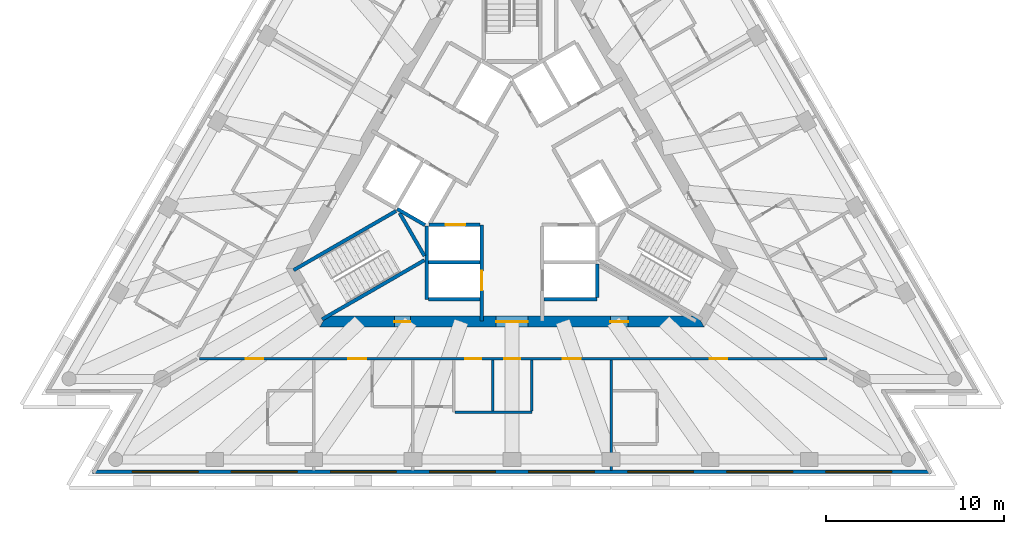
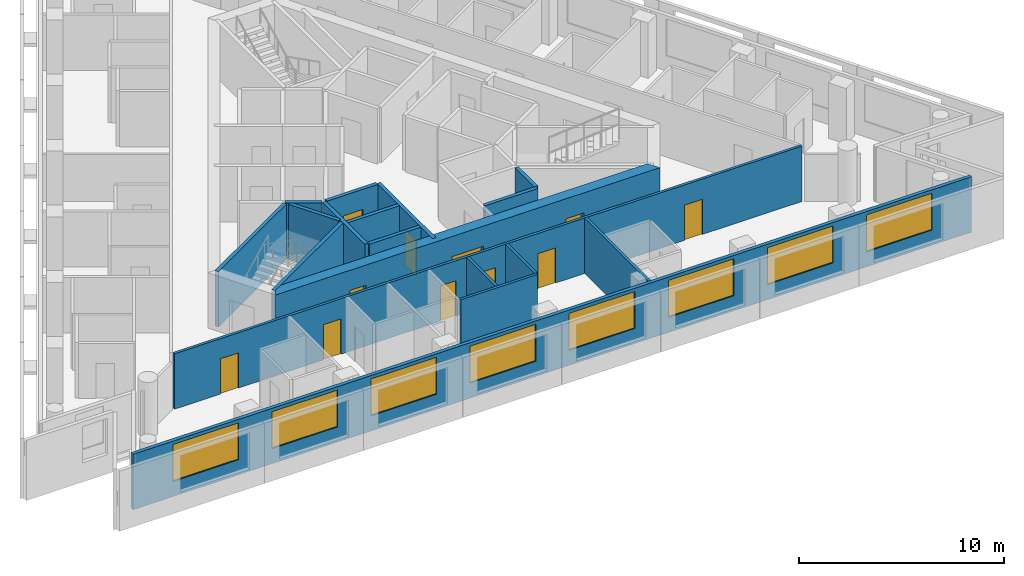
# One storey, part 3 of 10: 18 walls, 11 doors, 8 windows, 19 openings.
"""IFC4 building model written with IfcOpenShell, lengths in metres."""

from ifc_helpers import new_model, si_unit, direction, frame, frame_2d, origin, place, context, subcontext, project, spatial, polyline, rectangle, outline, extrude, material, layer, layer_set, layer_usage, type_object, element, fill, save


model = new_model("IFC4")

# Units and contexts
model_context = context("Model", 3, precision=1e-05, world=origin(), true_north=direction((0.0, 1.0)))
body_context = subcontext(model_context, "Body", "Model", "MODEL_VIEW")
ifc_project = project(units=[si_unit("LENGTHUNIT", "METRE"), si_unit("AREAUNIT", "SQUARE_METRE"), si_unit("VOLUMEUNIT", "CUBIC_METRE"), si_unit("PLANEANGLEUNIT", "RADIAN"), si_unit("MASSUNIT", "GRAM", prefix="KILO")], contexts=[model_context])

# Site, building, storey
site_placement = place(None, origin())
site = spatial("IfcSite", under=ifc_project, at=site_placement, CompositionType="ELEMENT")
building_placement = place(site_placement, origin())
building = spatial("IfcBuilding", under=site, at=building_placement, Name="Triada Interchange Tower", CompositionType="ELEMENT")
storey_placement = place(building_placement, frame((0.0, 0.0, 275.5)))
storey = spatial("IfcBuildingStorey", under=building, at=storey_placement, Name="L64", CompositionType="ELEMENT", Elevation=275.5)

# Walls
ifc_material_1 = material(Name="Concrete C30/37", Category="concrete")
ifc_layer_1 = layer(ifc_material_1, 0.199951171875)
ifc_layer_set_1 = layer_set([ifc_layer_1], Name="CORE WALL 200 EI 120")
wall_type_1 = type_object("IfcWallType", Name="CORE WALL 200 EI 120", PredefinedType="SOLIDWALL", material=ifc_layer_set_1)
wall_1_placement = place(storey_placement, frame((-4.800048828125, -6.89990234375, 0.0), z_axis=(0.0, 0.0, 1.0), x_axis=(0.0, 1.0, 0.0)))
element("IfcWall", 1, at=wall_1_placement, inside=storey, type_object=wall_type_1, Name="Wall L62 68", PredefinedType="SOLIDWALL", context=body_context, shape_type="SweptSolid", body=[
    extrude(rectangle(XDim=4.130859375, YDim=0.199951171875, at=frame_2d((2.0654296875, 0.0))), origin(), (0.0, 0.0, 1.0), 3.300048828125),
])
wall_2_placement = place(storey_placement, frame((-4.699951171875, -6.89990234375, 0.0), z_axis=(0.0, 0.0, 1.0), x_axis=(1.0, 0.0, 0.0)))
element("IfcWall", 2, at=wall_2_placement, inside=storey, type_object=wall_type_1, Name="Wall L62 69", PredefinedType="SOLIDWALL", context=body_context, shape_type="SweptSolid", body=[
    extrude(rectangle(XDim=2.89990234375, YDim=0.199951171875, at=frame_2d((1.449951171875, 0.0))), origin(), (0.0, 0.0, 1.0), 3.300048828125),
])
wall_3_placement = place(storey_placement, frame((1.800048828125, -6.89990234375, 0.0), z_axis=(0.0, 0.0, 1.0), x_axis=(1.0, 0.0, 0.0)))
element("IfcWall", 3, at=wall_3_placement, inside=storey, type_object=wall_type_1, Name="Wall L62 70", PredefinedType="SOLIDWALL", context=body_context, shape_type="SweptSolid", body=[
    extrude(rectangle(XDim=3.0, YDim=0.199951171875, at=frame_2d((1.5, 0.0))), origin(), (0.0, 0.0, 1.0), 3.300048828125),
])
wall_4_placement = place(storey_placement, frame((-4.699951171875, -4.800048828125, 0.0), z_axis=(0.0, 0.0, 1.0), x_axis=(1.0, 0.0, 0.0)))
element("IfcWall", 4, at=wall_4_placement, inside=storey, type_object=wall_type_1, Name="Wall L62 71", PredefinedType="SOLIDWALL", context=body_context, shape_type="SweptSolid", body=[
    extrude(rectangle(XDim=2.89990234375, YDim=0.199951171875, at=frame_2d((1.449951171875, 0.0))), origin(), (0.0, 0.0, 1.0), 3.300048828125),
])

# Wall, opening, door
wall_5_placement = place(storey_placement, frame((-1.699951171875, -8.1298828125, 0.0), z_axis=(0.0, 0.0, 1.0), x_axis=(0.0, 1.0, 0.0)))
wall_5 = element("IfcWall", 5, at=wall_5_placement, inside=storey, type_object=wall_type_1, Name="Wall L62 73", PredefinedType="SOLIDWALL", context=body_context, shape_type="SweptSolid", body=[
    extrude(rectangle(XDim=5.427001953125, YDim=0.199951171875, at=frame_2d((2.71337890625, 0.0))), origin(), (0.0, 0.0, 1.0), 3.300048828125),
])
opening_1_placement = place(wall_5_placement, frame((1.72998046875, 0.0, 0.0)))
opening_1 = element("IfcOpeningElement", 6, at=opening_1_placement, cuts=wall_5, Name="Opening LD-HR4", PredefinedType="OPENING", context=body_context, shape_type="SweptSolid", body=[
    extrude(rectangle(XDim=1.10009765625, YDim=2.10009765625, at=frame_2d((0.550048828125, 1.050048828125))), frame((0.0, 0.10986328125, 0.0), z_axis=(0.0, -1.0, 0.0), x_axis=(1.0, 0.0, 0.0)), (0.0, 0.0, 1.0), 0.219970703125),
])
ifc_material_2 = material(Name="Steel S235 door leaf", Category="steel")
door_type_1 = type_object("IfcDoorType", Name="LIFT LANDING DOOR 1100 EI 120", OperationType="SLIDING_TO_LEFT", PredefinedType="DOOR", material=ifc_material_2)
door_1_placement = place(opening_1_placement, origin())
door_1 = element("IfcDoor", 7, at=door_1_placement, inside=storey, type_object=door_type_1, Name="HR4 landing door L64", OperationType="SLIDING_TO_LEFT", OverallHeight=2.10009765625, OverallWidth=1.10009765625, PredefinedType="DOOR", context=body_context, shape_type="SweptSolid", body=[
    extrude(rectangle(XDim=1.10009765625, YDim=2.10009765625, at=frame_2d((0.550048828125, 1.050048828125))), frame((0.0, 0.02490234375, 0.0), z_axis=(0.0, -1.0, 0.0), x_axis=(1.0, 0.0, 0.0)), (0.0, 0.0, 1.0), 0.050048828125),
])
fill(opening_1, door_1)

wall_6_placement = place(storey_placement, frame((-4.676025390625, -2.699951171875, 0.0), z_axis=(0.0, 0.0, 1.0), x_axis=(1.0, 0.0, 0.0)))
wall_6 = element("IfcWall", 8, at=wall_6_placement, inside=storey, type_object=wall_type_1, Name="Wall L62 74", PredefinedType="SOLIDWALL", context=body_context, shape_type="SweptSolid", body=[
    extrude(rectangle(XDim=2.873046875, YDim=0.199951171875, at=frame_2d((1.4365234375, 0.0))), origin(), (0.0, 0.0, 1.0), 3.300048828125),
])
opening_2_placement = place(wall_6_placement, frame((0.93701171875, 0.0, 0.0)))
opening_2 = element("IfcOpeningElement", 9, at=opening_2_placement, cuts=wall_6, Name="Opening LD-HR3", PredefinedType="OPENING", context=body_context, shape_type="SweptSolid", body=[
    extrude(rectangle(XDim=1.10009765625, YDim=2.10009765625, at=frame_2d((0.550048828125, 1.050048828125))), frame((0.0, 0.10986328125, 0.0), z_axis=(0.0, -1.0, 0.0), x_axis=(1.0, 0.0, 0.0)), (0.0, 0.0, 1.0), 0.219970703125),
])
door_2_placement = place(opening_2_placement, origin())
door_2 = element("IfcDoor", 10, at=door_2_placement, inside=storey, type_object=door_type_1, Name="HR3 landing door L64", OperationType="SLIDING_TO_LEFT", OverallHeight=2.10009765625, OverallWidth=1.10009765625, PredefinedType="DOOR", context=body_context, shape_type="SweptSolid", body=[
    extrude(rectangle(XDim=1.10009765625, YDim=2.10009765625, at=frame_2d((0.550048828125, 1.050048828125))), frame((0.0, 0.02490234375, 0.0), z_axis=(0.0, -1.0, 0.0), x_axis=(1.0, 0.0, 0.0)), (0.0, 0.0, 1.0), 0.050048828125),
])
fill(opening_2, door_2)

# Walls
wall_7_placement = place(storey_placement, frame((4.800048828125, -6.800048828125, 0.0), z_axis=(0.0, 0.0, 1.0), x_axis=(0.0, 1.0, 0.0)))
element("IfcWall", 11, at=wall_7_placement, inside=storey, type_object=wall_type_1, Name="Wall L62 81", PredefinedType="SOLIDWALL", context=body_context, shape_type="SweptSolid", body=[
    extrude(rectangle(XDim=1.880126953125, YDim=0.199951171875, at=frame_2d((0.93994140625, 0.0))), origin(), (0.0, 0.0, 1.0), 3.300048828125),
])
ifc_layer_2 = layer(ifc_material_1, 0.199951171875)
ifc_layer_set_2 = layer_set([ifc_layer_2], Name="CORE WALL 200 EI 180")
wall_type_2 = type_object("IfcWallType", Name="CORE WALL 200 EI 180", PredefinedType="SOLIDWALL", material=ifc_layer_set_2)
wall_8_placement = place(storey_placement, frame((-6.469970703125, -1.806884765625, 0.0), z_axis=(0.0, 0.0, 1.0), x_axis=(0.865883195159, -0.500246231712, 0.0)))
element("IfcWall", 12, at=wall_8_placement, inside=storey, type_object=wall_type_2, Name="Shaft wall FF1 L62 100", PredefinedType="SOLIDWALL", context=body_context, shape_type="SweptSolid", body=[
    extrude(rectangle(XDim=1.8154296875, YDim=0.199951171875, at=frame_2d((0.90771484375, 0.0))), origin(), (0.0, 0.0, 1.0), 3.300048828125),
])
ifc_layer_3 = layer(ifc_material_1, 0.199951171875)
ifc_layer_set_3 = layer_set([ifc_layer_3], Name="CORE WALL 200 REI 240")
wall_type_3 = type_object("IfcWallType", Name="CORE WALL 200 REI 240", PredefinedType="SOLIDWALL", material=ifc_layer_set_3)
wall_9_placement = place(storey_placement, frame((-12.301025390625, -5.25390625, 0.0), z_axis=(0.0, 0.0, 1.0), x_axis=(0.866068467981, 0.499925403204, 0.0)))
element("IfcWall", 13, at=wall_9_placement, inside=storey, type_object=wall_type_3, Name="Wall L62 112", PredefinedType="SOLIDWALL", context=body_context, shape_type="SweptSolid", body=[
    extrude(rectangle(XDim=6.66455078125, YDim=0.199951171875, at=frame_2d((3.332275390625, 0.0))), origin(), (0.0, 0.0, 1.0), 3.300048828125),
])
wall_10_placement = place(storey_placement, frame((-6.3291015625, -2.0380859375, 0.0), z_axis=(0.0, 0.0, 1.0), x_axis=(0.500200581029, -0.865909567298, 0.0)))
element("IfcWall", 14, at=wall_10_placement, inside=storey, type_object=wall_type_3, Name="Wall L62 113", PredefinedType="SOLIDWALL", context=body_context, shape_type="SweptSolid", body=[
    extrude(rectangle(XDim=2.799072265625, YDim=0.199951171875, at=frame_2d((1.3994140625, 0.0))), origin(), (0.0, 0.0, 1.0), 3.300048828125),
])
wall_11_placement = place(storey_placement, frame((-10.700927734375, -8.02587890625, 0.0), z_axis=(0.0, 0.0, 1.0), x_axis=(0.866005022404, 0.500035299925, 0.0)))
element("IfcWall", 15, at=wall_11_placement, inside=storey, type_object=wall_type_3, Name="Wall L62 114", PredefinedType="SOLIDWALL", context=body_context, shape_type="SweptSolid", body=[
    extrude(rectangle(XDim=6.6650390625, YDim=0.199951171875, at=frame_2d((3.33251953125, 0.0))), origin(), (0.0, 0.0, 1.0), 3.300048828125),
])

# Wall, openings, doors
ifc_material_3 = material(Name="Concrete C40/50", Category="concrete")
ifc_layer_4 = layer(ifc_material_3, 0.60009765625)
ifc_layer_set_4 = layer_set([ifc_layer_4], Name="Core wall D 600")
wall_type_4 = type_object("IfcWallType", Name="Core wall D 600", PredefinedType="SHEAR", material=ifc_layer_set_4)
wall_12_placement = place(storey_placement, frame((-10.652099609375, -8.14990234375, -0.300048828125), z_axis=(0.0, 0.0, 1.0), x_axis=(1.0, 0.0, 0.0)))
wall_12 = element("IfcWall", 16, at=wall_12_placement, inside=storey, type_object=wall_type_4, Name="Core wall WD04 L64", PredefinedType="SHEAR", context=body_context, shape_type="SweptSolid", body=[
    extrude(outline(polyline([(-0.173095703125, -0.300048828125), (1.795166015625, -0.300048828125), (3.76318359375, -0.300048828125), (5.7314453125, -0.300048828125), (7.69970703125, -0.300048828125), (9.66796875, -0.300048828125), (11.635986328125, -0.300048828125), (13.604248046875, -0.300048828125), (15.572509765625, -0.300048828125), (17.540771484375, -0.300048828125), (19.5087890625, -0.300048828125), (21.47705078125, -0.300048828125), (21.131103515625, 0.300048828125), (19.225830078125, 0.300048828125), (17.320556640625, 0.300048828125), (15.415283203125, 0.300048828125), (13.510009765625, 0.300048828125), (11.604736328125, 0.300048828125), (9.699462890625, 0.300048828125), (7.794189453125, 0.300048828125), (5.888916015625, 0.300048828125), (3.983642578125, 0.300048828125), (2.078369140625, 0.300048828125), (0.173095703125, 0.300048828125), (-0.173095703125, -0.300048828125)])), origin(), (0.0, 0.0, 1.0), 3.60009765625),
])
opening_3_placement = place(wall_12_placement, frame((9.751953125, 0.0, 0.300048828125)))
opening_3 = element("IfcOpeningElement", 17, at=opening_3_placement, cuts=wall_12, Name="Opening D62-47", PredefinedType="OPENING", context=body_context, shape_type="SweptSolid", body=[
    extrude(rectangle(XDim=1.800048828125, YDim=2.10009765625, at=frame_2d((0.89990234375, 1.050048828125))), frame((0.0, 0.31005859375, 0.0), z_axis=(0.0, -1.0, 0.0), x_axis=(1.0, 0.0, 0.0)), (0.0, 0.0, 1.0), 0.6201171875),
])
opening_4_placement = place(wall_12_placement, frame((4.02587890625, 0.0, 0.300048828125)))
opening_4 = element("IfcOpeningElement", 18, at=opening_4_placement, cuts=wall_12, Name="Opening D62-53", PredefinedType="OPENING", context=body_context, shape_type="SweptSolid", body=[
    extrude(rectangle(XDim=0.89990234375, YDim=2.10009765625, at=frame_2d((0.449951171875, 1.050048828125))), frame((0.0, 0.31005859375, 0.0), z_axis=(0.0, -1.0, 0.0), x_axis=(1.0, 0.0, 0.0)), (0.0, 0.0, 1.0), 0.6201171875),
])
opening_5_placement = place(wall_12_placement, frame((16.197998046875, 0.0, 0.300048828125)))
opening_5 = element("IfcOpeningElement", 19, at=opening_5_placement, cuts=wall_12, Name="Opening D62-56", PredefinedType="OPENING", context=body_context, shape_type="SweptSolid", body=[
    extrude(rectangle(XDim=1.0, YDim=2.10009765625, at=frame_2d((0.5, 1.050048828125))), frame((0.0, 0.31005859375, 0.0), z_axis=(0.0, -1.0, 0.0), x_axis=(1.0, 0.0, 0.0)), (0.0, 0.0, 1.0), 0.6201171875),
])
door_type_2 = type_object("IfcDoorType", Name="LOBBY DOOR 1800 EI2 90-C5S200", OperationType="DOUBLE_DOOR_SINGLE_SWING", PredefinedType="DOOR", material=ifc_material_2)
door_3_placement = place(opening_3_placement, origin())
door_3 = element("IfcDoor", 20, at=door_3_placement, inside=storey, type_object=door_type_2, Name="Door D62-47 L64", OperationType="DOUBLE_DOOR_SINGLE_SWING", OverallHeight=2.10009765625, OverallWidth=1.800048828125, PredefinedType="DOOR", context=body_context, shape_type="SweptSolid", body=[
    extrude(rectangle(XDim=1.800048828125, YDim=2.10009765625, at=frame_2d((0.89990234375, 1.050048828125))), frame((0.0, 0.02490234375, 0.0), z_axis=(0.0, -1.0, 0.0), x_axis=(1.0, 0.0, 0.0)), (0.0, 0.0, 1.0), 0.050048828125),
])
fill(opening_3, door_3)
door_type_3 = type_object("IfcDoorType", Name="SERVICE DOOR 1000 EI2 45-C5S200", OperationType="NOTDEFINED", PredefinedType="DOOR", material=ifc_material_2)
door_4_placement = place(opening_5_placement, origin())
door_4 = element("IfcDoor", 21, at=door_4_placement, inside=storey, type_object=door_type_3, Name="Door D62-56 L64", OperationType="SINGLE_SWING_RIGHT", OverallHeight=2.10009765625, OverallWidth=1.0, PredefinedType="DOOR", context=body_context, shape_type="SweptSolid", body=[
    extrude(rectangle(XDim=1.0, YDim=2.10009765625, at=frame_2d((0.5, 1.050048828125))), frame((0.0, 0.02490234375, 0.0), z_axis=(0.0, -1.0, 0.0), x_axis=(1.0, 0.0, 0.0)), (0.0, 0.0, 1.0), 0.050048828125),
])
fill(opening_5, door_4)
door_type_4 = type_object("IfcDoorType", Name="SERVICE DOOR 900 EI2 45-C5S200", OperationType="NOTDEFINED", PredefinedType="DOOR", material=ifc_material_2)
door_5_placement = place(opening_4_placement, origin())
door_5 = element("IfcDoor", 22, at=door_5_placement, inside=storey, type_object=door_type_4, Name="Door D62-53 L64", OperationType="SINGLE_SWING_RIGHT", OverallHeight=2.10009765625, OverallWidth=0.89990234375, PredefinedType="DOOR", context=body_context, shape_type="SweptSolid", body=[
    extrude(rectangle(XDim=0.89990234375, YDim=2.10009765625, at=frame_2d((0.449951171875, 1.050048828125))), frame((0.0, 0.02490234375, 0.0), z_axis=(0.0, -1.0, 0.0), x_axis=(1.0, 0.0, 0.0)), (0.0, 0.0, 1.0), 0.050048828125),
])
fill(opening_4, door_5)

# Wall, openings, windows
ifc_material_4 = material(Name="Cement board")
ifc_layer_5 = layer(ifc_material_4, 0.02001953125, Name="Cement board cladding")
ifc_material_5 = material(Name="Sheathing board")
ifc_layer_6 = layer(ifc_material_5, 0.014892578125, Name="Sheathing board")
ifc_material_6 = material(Name="Mineral wool")
ifc_layer_7 = layer(ifc_material_6, 0.14990234375, Name="Mineral wool between steel studs")
ifc_material_7 = material(Name="Gypsum board")
ifc_layer_8 = layer(ifc_material_7, 0.014892578125, Name="Plasterboard lining")
ifc_layer_set_5 = layer_set([ifc_layer_5, ifc_layer_6, ifc_layer_7, ifc_layer_8], Name="External wall 200")
ifc_layer_usage = layer_usage(ifc_layer_set_5, "AXIS2", "POSITIVE", -0.10009765625)
wall_type_5 = type_object("IfcWallType", Name="External wall 200", PredefinedType="ELEMENTEDWALL", material=ifc_layer_set_5)
wall_13_placement = place(storey_placement, frame((-23.62890625, -16.616943359375, 0.0), z_axis=(0.0, 0.0, 1.0), x_axis=(1.0, 0.0, 0.0)))
wall_13 = element("IfcWall", 23, at=wall_13_placement, inside=storey, type_object=wall_type_5, material=ifc_layer_usage, Name="External wall L64 S", PredefinedType="ELEMENTEDWALL", context=body_context, shape_type="SweptSolid", body=[
    extrude(rectangle(XDim=47.23779296875, YDim=0.199951171875, at=frame_2d((23.618896484375, 0.0))), origin(), (0.0, 0.0, 1.0), 3.300048828125),
])
opening_6_placement = place(wall_13_placement, frame((2.243896484375, 0.0, 0.89990234375)))
opening_6 = element("IfcOpeningElement", 24, at=opening_6_placement, cuts=wall_13, Name="Opening WD11", PredefinedType="OPENING", context=body_context, shape_type="SweptSolid", body=[
    extrude(rectangle(XDim=3.699951171875, YDim=2.199951171875, at=frame_2d((1.85009765625, 1.10009765625))), frame((0.0, 0.10986328125, 0.0), z_axis=(0.0, -1.0, 0.0), x_axis=(1.0, 0.0, 0.0)), (0.0, 0.0, 1.0), 0.219970703125),
])
opening_7_placement = place(wall_13_placement, frame((7.824951171875, 0.0, 0.89990234375)))
opening_7 = element("IfcOpeningElement", 25, at=opening_7_placement, cuts=wall_13, Name="Opening WD12", PredefinedType="OPENING", context=body_context, shape_type="SweptSolid", body=[
    extrude(rectangle(XDim=3.699951171875, YDim=2.199951171875, at=frame_2d((1.85009765625, 1.10009765625))), frame((0.0, 0.10986328125, 0.0), z_axis=(0.0, -1.0, 0.0), x_axis=(1.0, 0.0, 0.0)), (0.0, 0.0, 1.0), 0.219970703125),
])
opening_8_placement = place(wall_13_placement, frame((13.406982421875, 0.0, 0.89990234375)))
opening_8 = element("IfcOpeningElement", 26, at=opening_8_placement, cuts=wall_13, Name="Opening WD13", PredefinedType="OPENING", context=body_context, shape_type="SweptSolid", body=[
    extrude(rectangle(XDim=3.699951171875, YDim=2.199951171875, at=frame_2d((1.85009765625, 1.10009765625))), frame((0.0, 0.10986328125, 0.0), z_axis=(0.0, -1.0, 0.0), x_axis=(1.0, 0.0, 0.0)), (0.0, 0.0, 1.0), 0.219970703125),
])
opening_9_placement = place(wall_13_placement, frame((18.988037109375, 0.0, 0.89990234375)))
opening_9 = element("IfcOpeningElement", 27, at=opening_9_placement, cuts=wall_13, Name="Opening WD14", PredefinedType="OPENING", context=body_context, shape_type="SweptSolid", body=[
    extrude(rectangle(XDim=3.699951171875, YDim=2.199951171875, at=frame_2d((1.85009765625, 1.10009765625))), frame((0.0, 0.10986328125, 0.0), z_axis=(0.0, -1.0, 0.0), x_axis=(1.0, 0.0, 0.0)), (0.0, 0.0, 1.0), 0.219970703125),
])
opening_10_placement = place(wall_13_placement, frame((24.570068359375, 0.0, 0.89990234375)))
opening_10 = element("IfcOpeningElement", 28, at=opening_10_placement, cuts=wall_13, Name="Opening WD15", PredefinedType="OPENING", context=body_context, shape_type="SweptSolid", body=[
    extrude(rectangle(XDim=3.699951171875, YDim=2.199951171875, at=frame_2d((1.85009765625, 1.10009765625))), frame((0.0, 0.10986328125, 0.0), z_axis=(0.0, -1.0, 0.0), x_axis=(1.0, 0.0, 0.0)), (0.0, 0.0, 1.0), 0.219970703125),
])
opening_11_placement = place(wall_13_placement, frame((30.15087890625, 0.0, 0.89990234375)))
opening_11 = element("IfcOpeningElement", 29, at=opening_11_placement, cuts=wall_13, Name="Opening WD16", PredefinedType="OPENING", context=body_context, shape_type="SweptSolid", body=[
    extrude(rectangle(XDim=3.699951171875, YDim=2.199951171875, at=frame_2d((1.85009765625, 1.10009765625))), frame((0.0, 0.10986328125, 0.0), z_axis=(0.0, -1.0, 0.0), x_axis=(1.0, 0.0, 0.0)), (0.0, 0.0, 1.0), 0.219970703125),
])
opening_12_placement = place(wall_13_placement, frame((35.73291015625, 0.0, 0.89990234375)))
opening_12 = element("IfcOpeningElement", 30, at=opening_12_placement, cuts=wall_13, Name="Opening WD17", PredefinedType="OPENING", context=body_context, shape_type="SweptSolid", body=[
    extrude(rectangle(XDim=3.699951171875, YDim=2.199951171875, at=frame_2d((1.85009765625, 1.10009765625))), frame((0.0, 0.10986328125, 0.0), z_axis=(0.0, -1.0, 0.0), x_axis=(1.0, 0.0, 0.0)), (0.0, 0.0, 1.0), 0.219970703125),
])
opening_13_placement = place(wall_13_placement, frame((41.31396484375, 0.0, 0.89990234375)))
opening_13 = element("IfcOpeningElement", 31, at=opening_13_placement, cuts=wall_13, Name="Opening WD18", PredefinedType="OPENING", context=body_context, shape_type="SweptSolid", body=[
    extrude(rectangle(XDim=3.699951171875, YDim=2.199951171875, at=frame_2d((1.85009765625, 1.10009765625))), frame((0.0, 0.10986328125, 0.0), z_axis=(0.0, -1.0, 0.0), x_axis=(1.0, 0.0, 0.0)), (0.0, 0.0, 1.0), 0.219970703125),
])
ifc_material_8 = material(Name="Double glazed aluminium window", Category="aluminium")
window_type = type_object("IfcWindowType", Name="Ribbon window D face", PartitioningType="SINGLE_PANEL", PredefinedType="WINDOW", material=ifc_material_8)
window_1_placement = place(opening_6_placement, origin())
window_1 = element("IfcWindow", 32, at=window_1_placement, inside=storey, type_object=window_type, Name="Window L64 S 1", OverallHeight=2.199951171875, OverallWidth=3.699951171875, PartitioningType="SINGLE_PANEL", PredefinedType="WINDOW", context=body_context, shape_type="SweptSolid", body=[
    extrude(rectangle(XDim=3.699951171875, YDim=2.199951171875, at=frame_2d((1.85009765625, 1.10009765625))), frame((0.0, 0.030029296875, 0.0), z_axis=(0.0, -1.0, 0.0), x_axis=(1.0, 0.0, 0.0)), (0.0, 0.0, 1.0), 0.06005859375),
])
fill(opening_6, window_1)
window_2_placement = place(opening_7_placement, origin())
window_2 = element("IfcWindow", 33, at=window_2_placement, inside=storey, type_object=window_type, Name="Window L64 S 2", OverallHeight=2.199951171875, OverallWidth=3.699951171875, PartitioningType="SINGLE_PANEL", PredefinedType="WINDOW", context=body_context, shape_type="SweptSolid", body=[
    extrude(rectangle(XDim=3.699951171875, YDim=2.199951171875, at=frame_2d((1.85009765625, 1.10009765625))), frame((0.0, 0.030029296875, 0.0), z_axis=(0.0, -1.0, 0.0), x_axis=(1.0, 0.0, 0.0)), (0.0, 0.0, 1.0), 0.06005859375),
])
fill(opening_7, window_2)
window_3_placement = place(opening_8_placement, origin())
window_3 = element("IfcWindow", 34, at=window_3_placement, inside=storey, type_object=window_type, Name="Window L64 S 3", OverallHeight=2.199951171875, OverallWidth=3.699951171875, PartitioningType="SINGLE_PANEL", PredefinedType="WINDOW", context=body_context, shape_type="SweptSolid", body=[
    extrude(rectangle(XDim=3.699951171875, YDim=2.199951171875, at=frame_2d((1.85009765625, 1.10009765625))), frame((0.0, 0.030029296875, 0.0), z_axis=(0.0, -1.0, 0.0), x_axis=(1.0, 0.0, 0.0)), (0.0, 0.0, 1.0), 0.06005859375),
])
fill(opening_8, window_3)
window_4_placement = place(opening_9_placement, origin())
window_4 = element("IfcWindow", 35, at=window_4_placement, inside=storey, type_object=window_type, Name="Window L64 S 4", OverallHeight=2.199951171875, OverallWidth=3.699951171875, PartitioningType="SINGLE_PANEL", PredefinedType="WINDOW", context=body_context, shape_type="SweptSolid", body=[
    extrude(rectangle(XDim=3.699951171875, YDim=2.199951171875, at=frame_2d((1.85009765625, 1.10009765625))), frame((0.0, 0.030029296875, 0.0), z_axis=(0.0, -1.0, 0.0), x_axis=(1.0, 0.0, 0.0)), (0.0, 0.0, 1.0), 0.06005859375),
])
fill(opening_9, window_4)
window_5_placement = place(opening_10_placement, origin())
window_5 = element("IfcWindow", 36, at=window_5_placement, inside=storey, type_object=window_type, Name="Window L64 S 5", OverallHeight=2.199951171875, OverallWidth=3.699951171875, PartitioningType="SINGLE_PANEL", PredefinedType="WINDOW", context=body_context, shape_type="SweptSolid", body=[
    extrude(rectangle(XDim=3.699951171875, YDim=2.199951171875, at=frame_2d((1.85009765625, 1.10009765625))), frame((0.0, 0.030029296875, 0.0), z_axis=(0.0, -1.0, 0.0), x_axis=(1.0, 0.0, 0.0)), (0.0, 0.0, 1.0), 0.06005859375),
])
fill(opening_10, window_5)
window_6_placement = place(opening_11_placement, origin())
window_6 = element("IfcWindow", 37, at=window_6_placement, inside=storey, type_object=window_type, Name="Window L64 S 6", OverallHeight=2.199951171875, OverallWidth=3.699951171875, PartitioningType="SINGLE_PANEL", PredefinedType="WINDOW", context=body_context, shape_type="SweptSolid", body=[
    extrude(rectangle(XDim=3.699951171875, YDim=2.199951171875, at=frame_2d((1.85009765625, 1.10009765625))), frame((0.0, 0.030029296875, 0.0), z_axis=(0.0, -1.0, 0.0), x_axis=(1.0, 0.0, 0.0)), (0.0, 0.0, 1.0), 0.06005859375),
])
fill(opening_11, window_6)
window_7_placement = place(opening_12_placement, origin())
window_7 = element("IfcWindow", 38, at=window_7_placement, inside=storey, type_object=window_type, Name="Window L64 S 7", OverallHeight=2.199951171875, OverallWidth=3.699951171875, PartitioningType="SINGLE_PANEL", PredefinedType="WINDOW", context=body_context, shape_type="SweptSolid", body=[
    extrude(rectangle(XDim=3.699951171875, YDim=2.199951171875, at=frame_2d((1.85009765625, 1.10009765625))), frame((0.0, 0.030029296875, 0.0), z_axis=(0.0, -1.0, 0.0), x_axis=(1.0, 0.0, 0.0)), (0.0, 0.0, 1.0), 0.06005859375),
])
fill(opening_12, window_7)
window_8_placement = place(opening_13_placement, origin())
window_8 = element("IfcWindow", 39, at=window_8_placement, inside=storey, type_object=window_type, Name="Window L64 S 8", OverallHeight=2.199951171875, OverallWidth=3.699951171875, PartitioningType="SINGLE_PANEL", PredefinedType="WINDOW", context=body_context, shape_type="SweptSolid", body=[
    extrude(rectangle(XDim=3.699951171875, YDim=2.199951171875, at=frame_2d((1.85009765625, 1.10009765625))), frame((0.0, 0.030029296875, 0.0), z_axis=(0.0, -1.0, 0.0), x_axis=(1.0, 0.0, 0.0)), (0.0, 0.0, 1.0), 0.06005859375),
])
fill(opening_13, window_8)

# Wall, openings, doors
ifc_material_9 = material(Name="Gypsum board partition")
ifc_layer_9 = layer(ifc_material_9, 0.14990234375)
ifc_layer_set_6 = layer_set([ifc_layer_9], Name="PARTITION 150 EI 180")
wall_type_6 = type_object("IfcWallType", Name="PARTITION 150 EI 180", PredefinedType="PARTITIONING", material=ifc_layer_set_6)
wall_14_placement = place(storey_placement, frame((-17.60400390625, -10.25, 0.0), z_axis=(0.0, 0.0, 1.0), x_axis=(1.0, 0.0, 0.0)))
wall_14 = element("IfcWall", 40, at=wall_14_placement, inside=storey, type_object=wall_type_6, Name="Wall L62 5", PredefinedType="PARTITIONING", context=body_context, shape_type="SweptSolid", body=[
    extrude(rectangle(XDim=35.35791015625, YDim=0.14990234375, at=frame_2d((17.678955078125, 0.0))), origin(), (0.0, 0.0, 1.0), 3.300048828125),
])
opening_14_placement = place(wall_14_placement, frame((2.60009765625, 0.0, 0.0)))
opening_14 = element("IfcOpeningElement", 41, at=opening_14_placement, cuts=wall_14, Name="Opening D62-11", PredefinedType="OPENING", context=body_context, shape_type="SweptSolid", body=[
    extrude(rectangle(XDim=1.0, YDim=2.10009765625, at=frame_2d((0.5, 1.050048828125))), frame((0.0, 0.0849609375, 0.0), z_axis=(0.0, -1.0, 0.0), x_axis=(1.0, 0.0, 0.0)), (0.0, 0.0, 1.0), 0.169921875),
])
opening_15_placement = place(wall_14_placement, frame((8.39111328125, 0.0, 0.0)))
opening_15 = element("IfcOpeningElement", 42, at=opening_15_placement, cuts=wall_14, Name="Opening D62-13", PredefinedType="OPENING", context=body_context, shape_type="SweptSolid", body=[
    extrude(rectangle(XDim=1.0, YDim=2.10009765625, at=frame_2d((0.5, 1.050048828125))), frame((0.0, 0.0849609375, 0.0), z_axis=(0.0, -1.0, 0.0), x_axis=(1.0, 0.0, 0.0)), (0.0, 0.0, 1.0), 0.169921875),
])
opening_16_placement = place(wall_14_placement, frame((20.472900390625, 0.0, 0.0)))
opening_16 = element("IfcOpeningElement", 43, at=opening_16_placement, cuts=wall_14, Name="Opening D62-15", PredefinedType="OPENING", context=body_context, shape_type="SweptSolid", body=[
    extrude(rectangle(XDim=1.0, YDim=2.10009765625, at=frame_2d((0.5, 1.050048828125))), frame((0.0, 0.0849609375, 0.0), z_axis=(0.0, -1.0, 0.0), x_axis=(1.0, 0.0, 0.0)), (0.0, 0.0, 1.0), 0.169921875),
])
opening_17_placement = place(wall_14_placement, frame((14.972900390625, 0.0, 0.0)))
opening_17 = element("IfcOpeningElement", 44, at=opening_17_placement, cuts=wall_14, Name="Opening D62-17", PredefinedType="OPENING", context=body_context, shape_type="SweptSolid", body=[
    extrude(rectangle(XDim=0.89990234375, YDim=2.10009765625, at=frame_2d((0.449951171875, 1.050048828125))), frame((0.0, 0.0849609375, 0.0), z_axis=(0.0, -1.0, 0.0), x_axis=(1.0, 0.0, 0.0)), (0.0, 0.0, 1.0), 0.169921875),
])
opening_18_placement = place(wall_14_placement, frame((17.173095703125, 0.0, 0.0)))
opening_18 = element("IfcOpeningElement", 45, at=opening_18_placement, cuts=wall_14, Name="Opening D62-18", PredefinedType="OPENING", context=body_context, shape_type="SweptSolid", body=[
    extrude(rectangle(XDim=0.89990234375, YDim=2.10009765625, at=frame_2d((0.449951171875, 1.050048828125))), frame((0.0, 0.0849609375, 0.0), z_axis=(0.0, -1.0, 0.0), x_axis=(1.0, 0.0, 0.0)), (0.0, 0.0, 1.0), 0.169921875),
])
opening_19_placement = place(wall_14_placement, frame((28.735107421875, 0.0, 0.0)))
opening_19 = element("IfcOpeningElement", 46, at=opening_19_placement, cuts=wall_14, Name="Opening D62-19", PredefinedType="OPENING", context=body_context, shape_type="SweptSolid", body=[
    extrude(rectangle(XDim=1.0, YDim=2.10009765625, at=frame_2d((0.5, 1.050048828125))), frame((0.0, 0.0849609375, 0.0), z_axis=(0.0, -1.0, 0.0), x_axis=(1.0, 0.0, 0.0)), (0.0, 0.0, 1.0), 0.169921875),
])
door_type_5 = type_object("IfcDoorType", Name="GUEST ROOM DOOR 1000 EI2 90-C5S200", OperationType="NOTDEFINED", PredefinedType="DOOR", material=ifc_material_2)
door_6_placement = place(opening_14_placement, origin())
door_6 = element("IfcDoor", 47, at=door_6_placement, inside=storey, type_object=door_type_5, Name="Door D62-11 L64", OperationType="SINGLE_SWING_RIGHT", OverallHeight=2.10009765625, OverallWidth=1.0, PredefinedType="DOOR", context=body_context, shape_type="SweptSolid", body=[
    extrude(rectangle(XDim=1.0, YDim=2.10009765625, at=frame_2d((0.5, 1.050048828125))), frame((0.0, 0.02490234375, 0.0), z_axis=(0.0, -1.0, 0.0), x_axis=(1.0, 0.0, 0.0)), (0.0, 0.0, 1.0), 0.050048828125),
])
fill(opening_14, door_6)
door_7_placement = place(opening_15_placement, origin())
door_7 = element("IfcDoor", 48, at=door_7_placement, inside=storey, type_object=door_type_5, Name="Door D62-13 L64", OperationType="SINGLE_SWING_RIGHT", OverallHeight=2.10009765625, OverallWidth=1.0, PredefinedType="DOOR", context=body_context, shape_type="SweptSolid", body=[
    extrude(rectangle(XDim=1.0, YDim=2.10009765625, at=frame_2d((0.5, 1.050048828125))), frame((0.0, 0.02490234375, 0.0), z_axis=(0.0, -1.0, 0.0), x_axis=(1.0, 0.0, 0.0)), (0.0, 0.0, 1.0), 0.050048828125),
])
fill(opening_15, door_7)
door_8_placement = place(opening_16_placement, origin())
door_8 = element("IfcDoor", 49, at=door_8_placement, inside=storey, type_object=door_type_5, Name="Door D62-15 L64", OperationType="SINGLE_SWING_RIGHT", OverallHeight=2.10009765625, OverallWidth=1.0, PredefinedType="DOOR", context=body_context, shape_type="SweptSolid", body=[
    extrude(rectangle(XDim=1.0, YDim=2.10009765625, at=frame_2d((0.5, 1.050048828125))), frame((0.0, 0.02490234375, 0.0), z_axis=(0.0, -1.0, 0.0), x_axis=(1.0, 0.0, 0.0)), (0.0, 0.0, 1.0), 0.050048828125),
])
fill(opening_16, door_8)
door_9_placement = place(opening_19_placement, origin())
door_9 = element("IfcDoor", 50, at=door_9_placement, inside=storey, type_object=door_type_5, Name="Door D62-19 L64", OperationType="SINGLE_SWING_LEFT", OverallHeight=2.10009765625, OverallWidth=1.0, PredefinedType="DOOR", context=body_context, shape_type="SweptSolid", body=[
    extrude(rectangle(XDim=1.0, YDim=2.10009765625, at=frame_2d((0.5, 1.050048828125))), frame((0.0, 0.02490234375, 0.0), z_axis=(0.0, -1.0, 0.0), x_axis=(1.0, 0.0, 0.0)), (0.0, 0.0, 1.0), 0.050048828125),
])
fill(opening_19, door_9)
door_type_6 = type_object("IfcDoorType", Name="ROOM DOOR 900 EI2 90-C5S200", OperationType="NOTDEFINED", PredefinedType="DOOR", material=ifc_material_2)
door_10_placement = place(opening_18_placement, origin())
door_10 = element("IfcDoor", 51, at=door_10_placement, inside=storey, type_object=door_type_6, Name="Door D62-18 L64", OperationType="SINGLE_SWING_RIGHT", OverallHeight=2.10009765625, OverallWidth=0.89990234375, PredefinedType="DOOR", context=body_context, shape_type="SweptSolid", body=[
    extrude(rectangle(XDim=0.89990234375, YDim=2.10009765625, at=frame_2d((0.449951171875, 1.050048828125))), frame((0.0, 0.02490234375, 0.0), z_axis=(0.0, -1.0, 0.0), x_axis=(1.0, 0.0, 0.0)), (0.0, 0.0, 1.0), 0.050048828125),
])
fill(opening_18, door_10)
door_type_7 = type_object("IfcDoorType", Name="SERVICE DOOR 900 EI2 90-C5S200", OperationType="NOTDEFINED", PredefinedType="DOOR", material=ifc_material_2)
door_11_placement = place(opening_17_placement, origin())
door_11 = element("IfcDoor", 52, at=door_11_placement, inside=storey, type_object=door_type_7, Name="Door D62-17 L64", OperationType="SINGLE_SWING_RIGHT", OverallHeight=2.10009765625, OverallWidth=0.89990234375, PredefinedType="DOOR", context=body_context, shape_type="SweptSolid", body=[
    extrude(rectangle(XDim=0.89990234375, YDim=2.10009765625, at=frame_2d((0.449951171875, 1.050048828125))), frame((0.0, 0.02490234375, 0.0), z_axis=(0.0, -1.0, 0.0), x_axis=(1.0, 0.0, 0.0)), (0.0, 0.0, 1.0), 0.050048828125),
])
fill(opening_17, door_11)

# Walls
wall_15_placement = place(storey_placement, frame((-3.2060546875, -13.25, 0.0), z_axis=(0.0, 0.0, 1.0), x_axis=(1.0, 0.0, 0.0)))
element("IfcWall", 53, at=wall_15_placement, inside=storey, type_object=wall_type_6, Name="Wall L62 18", PredefinedType="PARTITIONING", context=body_context, shape_type="SweptSolid", body=[
    extrude(rectangle(XDim=4.324951171875, YDim=0.14990234375, at=frame_2d((2.16259765625, 0.0))), origin(), (0.0, 0.0, 1.0), 3.300048828125),
])
for number, where, z_axis, x_axis, name in (
    (54, (1.118896484375, -13.175048828125, 0.0), (0.0, 0.0, 1.0), (0.0, 1.0, 0.0), "Wall L62 19"),
    (55, (-1.0810546875, -13.175048828125, 0.0), (0.0, 0.0, 1.0), (0.0, 1.0, 0.0), "Wall L62 20"),
):
    element("IfcWall", number, at=place(storey_placement, frame(where, z_axis=z_axis, x_axis=x_axis)), inside=storey, type_object=wall_type_6, Name=name, PredefinedType="PARTITIONING", context=body_context, shape_type="SweptSolid", body=[
        extrude(rectangle(XDim=2.85009765625, YDim=0.14990234375, at=frame_2d((1.425048828125, 0.0))), origin(), (0.0, 0.0, 1.0), 3.300048828125),
    ])
wall_16_placement = place(storey_placement, frame((5.5810546875, -16.537109375, 0.0), z_axis=(0.0, 0.0, 1.0), x_axis=(0.0, 1.0, 0.0)))
element("IfcWall", 56, at=wall_16_placement, inside=storey, type_object=wall_type_6, Name="Wall L62 26", PredefinedType="PARTITIONING", context=body_context, shape_type="SweptSolid", body=[
    extrude(rectangle(XDim=6.212158203125, YDim=0.14990234375, at=frame_2d((3.10595703125, 0.0))), origin(), (0.0, 0.0, 1.0), 3.300048828125),
])

save(model, "model.ifc")
